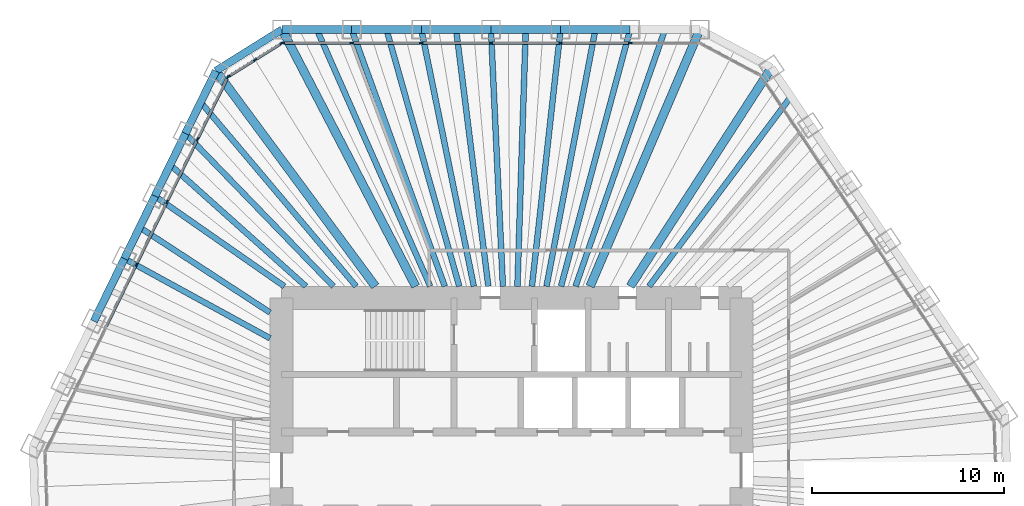
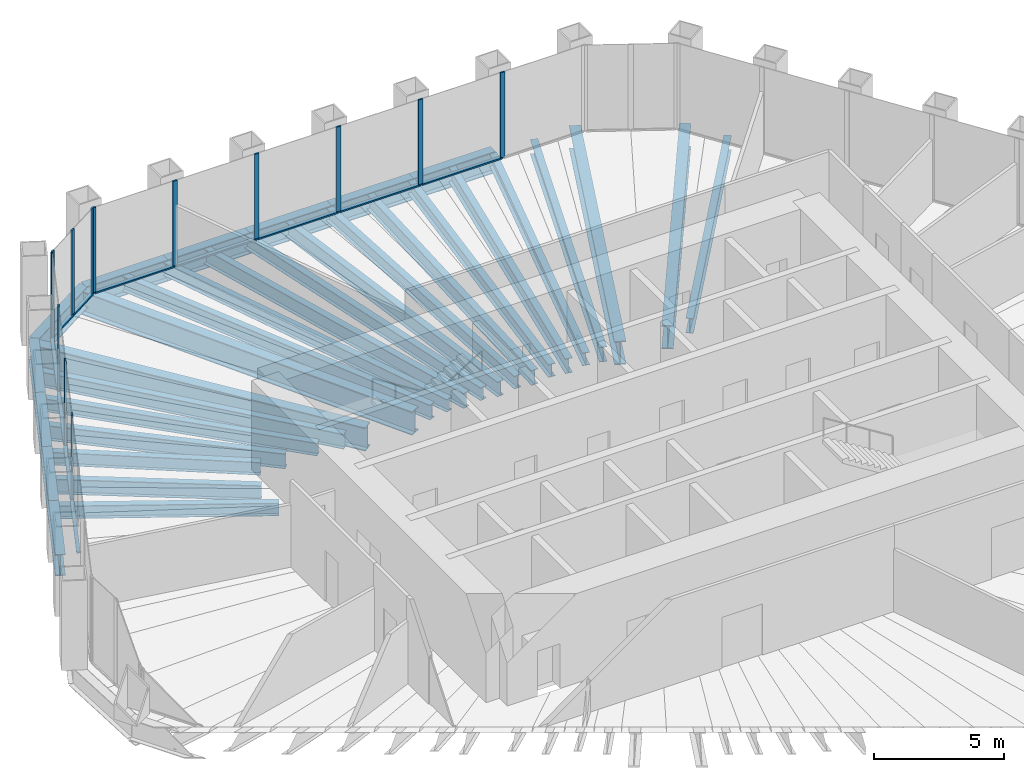
# One storey, part 6 of 13: 32 beams, 24 members, 3 elements without a shape of their own.
"""IFC4 building model written with IfcOpenShell, lengths in metres."""

from ifc_helpers import new_model, si_unit, direction, frame, origin, origin_2d, place, context, subcontext, project, spatial, rectangle, i_section, extrude, material, material_profile, profile_set, type_object, element, aggregate, save


model = new_model("IFC4")

# Units and contexts
model_context = context("Model", 3, precision=1e-05, world=origin(), true_north=direction((0.0, 1.0)))
body_context = subcontext(model_context, "Body", "Model", "MODEL_VIEW")
ifc_project = project(units=[si_unit("LENGTHUNIT", "METRE"), si_unit("AREAUNIT", "SQUARE_METRE"), si_unit("VOLUMEUNIT", "CUBIC_METRE"), si_unit("PLANEANGLEUNIT", "RADIAN"), si_unit("MASSUNIT", "GRAM", prefix="KILO")], contexts=[model_context])

# Site, building, storey
site_placement = place(None, origin())
site = spatial("IfcSite", under=ifc_project, at=site_placement, CompositionType="ELEMENT")
building_placement = place(site_placement, origin())
building = spatial("IfcBuilding", under=site, at=building_placement, Name="Qingtian Harvest Tower", CompositionType="ELEMENT")
storey_placement = place(building_placement, frame((0.0, 0.0, 247.60009765625)))
storey = spatial("IfcBuildingStorey", under=building, at=storey_placement, Name="L54", CompositionType="ELEMENT", Elevation=247.60009765625)

# Beams
ifc_material_1 = material(Name="Steel SM570MC", Category="steel")
ifc_material_profile_1 = material_profile(ifc_material_1, i_section(OverallWidth=0.449951171875, OverallDepth=1.10009765625, WebThickness=0.02197265625, FlangeThickness=0.044921875, at=origin_2d()), Name="H1100x450x22x45")
ifc_profile_set_1 = profile_set([ifc_material_profile_1], Name="Steel SM570MC")
beam_type_1 = type_object("IfcBeamType", Name="Corner floor beam FB8 H1100x450x22x45", PredefinedType="BEAM", material=ifc_profile_set_1)
beam_1_placement = place(storey_placement, frame((-11.971923828125, 23.0, -0.72021484375), z_axis=(0.461712460868, -0.887029651973, 0.0), x_axis=(0.887029651973, 0.461712460868, 0.0)))
element("IfcBeam", 1, at=beam_1_placement, inside=storey, type_object=beam_type_1, Name="Floor beam FB8 N0", PredefinedType="BEAM", context=body_context, shape_type="SweptSolid", body=[
    extrude(i_section(OverallWidth=0.449951171875, OverallDepth=1.10009765625, WebThickness=0.02197265625, FlangeThickness=0.044921875, at=origin_2d()), origin(), (0.0, 0.0, 1.0), 15.1064453125),
])
beam_2_placement = place(storey_placement, frame((9.829345703125, 23.0, -0.72021484375), z_axis=(-0.392976835482, -0.91954837109, 0.0), x_axis=(0.91954837109, -0.392976835482, 0.0)))
element("IfcBeam", 2, at=beam_2_placement, inside=storey, type_object=beam_type_1, Name="Floor beam FB8 N6", PredefinedType="BEAM", context=body_context, shape_type="SweptSolid", body=[
    extrude(i_section(OverallWidth=0.449951171875, OverallDepth=1.10009765625, WebThickness=0.02197265625, FlangeThickness=0.044921875, at=origin_2d()), origin(), (0.0, 0.0, 1.0), 14.572265625),
])
beam_3_placement = place(storey_placement, frame((13.5712890625, 21.01025390625, -0.72021484375), z_axis=(-0.542593072822, -0.839995688873, 0.0), x_axis=(0.839995688873, -0.542593072822, 0.0)))
element("IfcBeam", 3, at=beam_3_placement, inside=storey, type_object=beam_type_1, Name="Floor beam FB8 NE0", PredefinedType="BEAM", context=body_context, shape_type="SweptSolid", body=[
    extrude(i_section(OverallWidth=0.449951171875, OverallDepth=1.10009765625, WebThickness=0.02197265625, FlangeThickness=0.044921875, at=origin_2d()), origin(), (0.0, 0.0, 1.0), 13.58349609375),
])
beam_4_placement = place(storey_placement, frame((-15.424072265625, 20.8427734375, -0.72021484375), z_axis=(0.594854284538, -0.803833552526, 0.0), x_axis=(0.803833552526, 0.594854284538, 0.0)))
element("IfcBeam", 4, at=beam_4_placement, inside=storey, type_object=beam_type_1, Name="Floor beam FB8 NW6", PredefinedType="BEAM", context=body_context, shape_type="SweptSolid", body=[
    extrude(i_section(OverallWidth=0.449951171875, OverallDepth=1.10009765625, WebThickness=0.02197265625, FlangeThickness=0.044921875, at=origin_2d()), origin(), (0.0, 0.0, 1.0), 13.986328125),
])
ifc_material_2 = material(Name="Steel SN490B", Category="steel")
ifc_material_profile_2 = material_profile(ifc_material_2, i_section(OverallWidth=0.300048828125, OverallDepth=0.60009765625, WebThickness=0.011962890625, FlangeThickness=0.02001953125, at=origin_2d()), Name="H600x300x12x20")
ifc_profile_set_2 = profile_set([ifc_material_profile_2], Name="Steel SN490B")
beam_type_2 = type_object("IfcBeamType", Name="Floor beam FB3 H600x300x12x20", PredefinedType="BEAM", material=ifc_profile_set_2)
beam_5_placement = place(storey_placement, frame((-8.33837890625, 23.0, -0.47021484375), z_axis=(0.340826952705, -0.94012604916, 0.0), x_axis=(0.94012604916, 0.340826952705, 0.0)))
element("IfcBeam", 5, at=beam_5_placement, inside=storey, type_object=beam_type_2, Name="Floor beam FB3 N1", PredefinedType="BEAM", context=body_context, shape_type="SweptSolid", body=[
    extrude(i_section(OverallWidth=0.300048828125, OverallDepth=0.60009765625, WebThickness=0.011962890625, FlangeThickness=0.02001953125, at=origin_2d()), origin(), (0.0, 0.0, 1.0), 14.25341796875),
])
beam_6_placement = place(storey_placement, frame((-4.704833984375, 23.0, -0.47021484375), z_axis=(0.200401687601, -0.979713817197, 0.0), x_axis=(0.979713817197, 0.200401687601, 0.0)))
element("IfcBeam", 6, at=beam_6_placement, inside=storey, type_object=beam_type_2, Name="Floor beam FB3 N2", PredefinedType="BEAM", context=body_context, shape_type="SweptSolid", body=[
    extrude(i_section(OverallWidth=0.300048828125, OverallDepth=0.60009765625, WebThickness=0.011962890625, FlangeThickness=0.02001953125, at=origin_2d()), origin(), (0.0, 0.0, 1.0), 13.67724609375),
])
beam_7_placement = place(storey_placement, frame((-1.0712890625, 23.0, -0.47021484375), z_axis=(0.04651883736, -0.998917412888, 0.0), x_axis=(0.998917412888, 0.04651883736, 0.0)))
element("IfcBeam", 7, at=beam_7_placement, inside=storey, type_object=beam_type_2, Name="Floor beam FB3 N3", PredefinedType="BEAM", context=body_context, shape_type="SweptSolid", body=[
    extrude(i_section(OverallWidth=0.300048828125, OverallDepth=0.60009765625, WebThickness=0.011962890625, FlangeThickness=0.02001953125, at=origin_2d()), origin(), (0.0, 0.0, 1.0), 13.414306640625),
])
beam_8_placement = place(storey_placement, frame((2.562255859375, 23.0, -0.47021484375), z_axis=(-0.110727645803, -0.993850787822, 0.0), x_axis=(0.993850787822, -0.110727645803, 0.0)))
element("IfcBeam", 8, at=beam_8_placement, inside=storey, type_object=beam_type_2, Name="Floor beam FB3 N4", PredefinedType="BEAM", context=body_context, shape_type="SweptSolid", body=[
    extrude(i_section(OverallWidth=0.300048828125, OverallDepth=0.60009765625, WebThickness=0.011962890625, FlangeThickness=0.02001953125, at=origin_2d()), origin(), (0.0, 0.0, 1.0), 13.48291015625),
])
beam_9_placement = place(storey_placement, frame((6.19580078125, 23.0, -0.47021484375), z_axis=(-0.260121100906, -0.965576000563, 0.0), x_axis=(0.965576000563, -0.260121100906, 0.0)))
element("IfcBeam", 9, at=beam_9_placement, inside=storey, type_object=beam_type_2, Name="Floor beam FB3 N5", PredefinedType="BEAM", context=body_context, shape_type="SweptSolid", body=[
    extrude(i_section(OverallWidth=0.300048828125, OverallDepth=0.60009765625, WebThickness=0.011962890625, FlangeThickness=0.02001953125, at=origin_2d()), origin(), (0.0, 0.0, 1.0), 13.877685546875),
])
beam_10_placement = place(storey_placement, frame((-20.20263671875, 11.04541015625, -0.47021484375), z_axis=(0.87742673539, -0.479710666988, 0.0), x_axis=(0.479710666988, 0.87742673539, 0.0)))
element("IfcBeam", 10, at=beam_10_placement, inside=storey, type_object=beam_type_2, Name="Floor beam FB3 NW3", PredefinedType="BEAM", context=body_context, shape_type="SweptSolid", body=[
    extrude(i_section(OverallWidth=0.300048828125, OverallDepth=0.60009765625, WebThickness=0.011962890625, FlangeThickness=0.02001953125, at=origin_2d()), origin(), (0.0, 0.0, 1.0), 8.66455078125),
])
beam_11_placement = place(storey_placement, frame((-18.60986328125, 14.311279296875, -0.47021484375), z_axis=(0.820407854234, -0.571778762032, 0.0), x_axis=(0.571778762032, 0.820407854234, 0.0)))
element("IfcBeam", 11, at=beam_11_placement, inside=storey, type_object=beam_type_2, Name="Floor beam FB3 NW4", PredefinedType="BEAM", context=body_context, shape_type="SweptSolid", body=[
    extrude(i_section(OverallWidth=0.300048828125, OverallDepth=0.60009765625, WebThickness=0.011962890625, FlangeThickness=0.02001953125, at=origin_2d()), origin(), (0.0, 0.0, 1.0), 8.239501953125),
])
beam_12_placement = place(storey_placement, frame((-17.016845703125, 17.5771484375, -0.47021484375), z_axis=(0.695569024353, -0.718459276759, 0.0), x_axis=(0.718459276759, 0.695569024353, 0.0)))
element("IfcBeam", 12, at=beam_12_placement, inside=storey, type_object=beam_type_2, Name="Floor beam FB3 NW5", PredefinedType="BEAM", context=body_context, shape_type="SweptSolid", body=[
    extrude(i_section(OverallWidth=0.300048828125, OverallDepth=0.60009765625, WebThickness=0.011962890625, FlangeThickness=0.02001953125, at=origin_2d()), origin(), (0.0, 0.0, 1.0), 11.10302734375),
])
ifc_material_3 = material(Name="Steel SN490B", Category="steel")
ifc_material_profile_3 = material_profile(ifc_material_3, i_section(OverallWidth=0.300048828125, OverallDepth=0.699951171875, WebThickness=0.012939453125, FlangeThickness=0.02392578125, at=origin_2d()), Name="H700x300x13x24")
ifc_profile_set_3 = profile_set([ifc_material_profile_3], Name="Steel SN490B")
beam_type_3 = type_object("IfcBeamType", Name="Floor joist J2 H700x300x13x24", PredefinedType="JOIST", material=ifc_profile_set_3)
beam_13_placement = place(storey_placement, frame((-10.1552734375, 23.0, -0.52001953125), z_axis=(0.40391347792, -0.914797191925, 0.0), x_axis=(0.914797191925, 0.40391347792, 0.0)))
element("IfcBeam", 13, at=beam_13_placement, inside=storey, type_object=beam_type_3, Name="Floor joist J2 N0", PredefinedType="JOIST", context=body_context, shape_type="SweptSolid", body=[
    extrude(i_section(OverallWidth=0.300048828125, OverallDepth=0.699951171875, WebThickness=0.012939453125, FlangeThickness=0.02392578125, at=origin_2d()), origin(), (0.0, 0.0, 1.0), 14.64794921875),
])
beam_14_placement = place(storey_placement, frame((-6.521728515625, 23.0, -0.52001953125), z_axis=(0.272796737564, -0.962071691702, 0.0), x_axis=(0.962071691702, 0.272796737564, 0.0)))
element("IfcBeam", 14, at=beam_14_placement, inside=storey, type_object=beam_type_3, Name="Floor joist J2 N1", PredefinedType="JOIST", context=body_context, shape_type="SweptSolid", body=[
    extrude(i_section(OverallWidth=0.300048828125, OverallDepth=0.699951171875, WebThickness=0.012939453125, FlangeThickness=0.02392578125, at=origin_2d()), origin(), (0.0, 0.0, 1.0), 13.92822265625),
])
beam_15_placement = place(storey_placement, frame((-2.88818359375, 23.0, -0.52001953125), z_axis=(0.124590949529, -0.992208191508, 0.0), x_axis=(0.992208191508, 0.124590949529, 0.0)))
element("IfcBeam", 15, at=beam_15_placement, inside=storey, type_object=beam_type_3, Name="Floor joist J2 N2", PredefinedType="JOIST", context=body_context, shape_type="SweptSolid", body=[
    extrude(i_section(OverallWidth=0.300048828125, OverallDepth=0.699951171875, WebThickness=0.012939453125, FlangeThickness=0.02392578125, at=origin_2d()), origin(), (0.0, 0.0, 1.0), 13.505126953125),
])
beam_16_placement = place(storey_placement, frame((0.745361328125, 23.0, -0.52001953125), z_axis=(-0.032395624487, -0.99947512401, 0.0), x_axis=(0.99947512401, -0.032395624487, 0.0)))
element("IfcBeam", 16, at=beam_16_placement, inside=storey, type_object=beam_type_3, Name="Floor joist J2 N3", PredefinedType="JOIST", context=body_context, shape_type="SweptSolid", body=[
    extrude(i_section(OverallWidth=0.300048828125, OverallDepth=0.699951171875, WebThickness=0.012939453125, FlangeThickness=0.02392578125, at=origin_2d()), origin(), (0.0, 0.0, 1.0), 13.406982421875),
])
beam_17_placement = place(storey_placement, frame((4.37890625, 23.0, -0.52001953125), z_axis=(-0.187034797062, -0.982353289142, 0.0), x_axis=(0.982353289142, -0.187034797062, 0.0)))
element("IfcBeam", 17, at=beam_17_placement, inside=storey, type_object=beam_type_3, Name="Floor joist J2 N4", PredefinedType="JOIST", context=body_context, shape_type="SweptSolid", body=[
    extrude(i_section(OverallWidth=0.300048828125, OverallDepth=0.699951171875, WebThickness=0.012939453125, FlangeThickness=0.02392578125, at=origin_2d()), origin(), (0.0, 0.0, 1.0), 13.640625),
])
beam_18_placement = place(storey_placement, frame((8.012451171875, 23.0, -0.52001953125), z_axis=(-0.328969033283, -0.944340709247, 0.0), x_axis=(0.944340709247, -0.328969033283, 0.0)))
element("IfcBeam", 18, at=beam_18_placement, inside=storey, type_object=beam_type_3, Name="Floor joist J2 N5", PredefinedType="JOIST", context=body_context, shape_type="SweptSolid", body=[
    extrude(i_section(OverallWidth=0.300048828125, OverallDepth=0.699951171875, WebThickness=0.012939453125, FlangeThickness=0.02392578125, at=origin_2d()), origin(), (0.0, 0.0, 1.0), 14.189697265625),
])
beam_19_placement = place(storey_placement, frame((14.58740234375, 19.504150390625, -0.52001953125), z_axis=(-0.598935081494, -0.800797582511, 0.0), x_axis=(0.800797582511, -0.598935081494, 0.0)))
element("IfcBeam", 19, at=beam_19_placement, inside=storey, type_object=beam_type_3, Name="Floor joist J2 NE0", PredefinedType="JOIST", context=body_context, shape_type="SweptSolid", body=[
    extrude(i_section(OverallWidth=0.300048828125, OverallDepth=0.699951171875, WebThickness=0.012939453125, FlangeThickness=0.02392578125, at=origin_2d()), origin(), (0.0, 0.0, 1.0), 12.36767578125),
])
beam_20_placement = place(storey_placement, frame((-19.40625, 12.678466796875, -0.52001953125), z_axis=(0.837161066611, -0.546956441182, 0.0), x_axis=(0.546956441182, 0.837161066611, 0.0)))
element("IfcBeam", 20, at=beam_20_placement, inside=storey, type_object=beam_type_3, Name="Floor joist J2 NW3", PredefinedType="JOIST", context=body_context, shape_type="SweptSolid", body=[
    extrude(i_section(OverallWidth=0.300048828125, OverallDepth=0.699951171875, WebThickness=0.012939453125, FlangeThickness=0.02392578125, at=origin_2d()), origin(), (0.0, 0.0, 1.0), 8.130126953125),
])
beam_21_placement = place(storey_placement, frame((-17.813232421875, 15.944091796875, -0.52001953125), z_axis=(0.745126517589, -0.66692313859, 0.0), x_axis=(0.66692313859, 0.745126517589, 0.0)))
element("IfcBeam", 21, at=beam_21_placement, inside=storey, type_object=beam_type_3, Name="Floor joist J2 NW4", PredefinedType="JOIST", context=body_context, shape_type="SweptSolid", body=[
    extrude(i_section(OverallWidth=0.300048828125, OverallDepth=0.699951171875, WebThickness=0.012939453125, FlangeThickness=0.02392578125, at=origin_2d()), origin(), (0.0, 0.0, 1.0), 9.512451171875),
])
beam_22_placement = place(storey_placement, frame((-16.220458984375, 19.2099609375, -0.52001953125), z_axis=(0.645157903911, -0.764049264787, 0.0), x_axis=(0.764049264787, 0.645157903911, 0.0)))
element("IfcBeam", 22, at=beam_22_placement, inside=storey, type_object=beam_type_3, Name="Floor joist J2 NW5", PredefinedType="JOIST", context=body_context, shape_type="SweptSolid", body=[
    extrude(i_section(OverallWidth=0.300048828125, OverallDepth=0.699951171875, WebThickness=0.012939453125, FlangeThickness=0.02392578125, at=origin_2d()), origin(), (0.0, 0.0, 1.0), 12.57763671875),
])

# Curtain wall, members
ifc_material_4 = material(Name="Bronze-anodised aluminium curtain wall", Category="aluminium")
curtain_wall_type = type_object("IfcCurtainWallType", Name="Curtain wall CW4 office", PredefinedType="USERDEFINED", material=ifc_material_4)
curtain_wall_1_placement = place(storey_placement, origin())
curtain_wall_1 = element("IfcCurtainWall", 23, at=curtain_wall_1_placement, inside=storey, type_object=curtain_wall_type, Name="Curtain wall CW4 L54 N0-5", ObjectType="RECESSED CURTAIN WALL", PredefinedType="USERDEFINED")
ifc_material_5 = material(Name="Bronze-anodised aluminium mullion", Category="aluminium")
ifc_material_profile_4 = material_profile(ifc_material_5, rectangle(XDim=0.06494140625, YDim=0.199951171875, at=origin_2d()), Name="AL 65x200")
ifc_profile_set_4 = profile_set([ifc_material_profile_4], Name="Bronze-anodised aluminium mullion")
member_type_1 = type_object("IfcMemberType", Name="Mullion CWM 65x200", PredefinedType="MULLION", material=ifc_profile_set_4)
member_1_placement = place(storey_placement, frame((-11.939453125, 22.300048828125, 0.0), z_axis=(0.0, 0.0, 1.0), x_axis=(0.0, 1.0, 0.0)))
member_1 = element("IfcMember", 24, at=member_1_placement, type_object=member_type_1, Name="CW4 mullion 1", PredefinedType="MULLION", context=body_context, shape_type="SweptSolid", body=[
    extrude(rectangle(XDim=0.06494140625, YDim=0.199951171875, at=origin_2d()), origin(), (0.0, 0.0, 1.0), 4.02978515625),
])
member_2_placement = place(storey_placement, frame((-8.33837890625, 22.300048828125, 0.0), z_axis=(0.0, 0.0, 1.0), x_axis=(0.0, 1.0, 0.0)))
member_2 = element("IfcMember", 25, at=member_2_placement, type_object=member_type_1, Name="CW4 mullion 2", PredefinedType="MULLION", context=body_context, shape_type="SweptSolid", body=[
    extrude(rectangle(XDim=0.06494140625, YDim=0.199951171875, at=origin_2d()), origin(), (0.0, 0.0, 1.0), 4.02978515625),
])
member_3_placement = place(storey_placement, frame((-4.704833984375, 22.300048828125, 0.0), z_axis=(0.0, 0.0, 1.0), x_axis=(0.0, 1.0, 0.0)))
member_3 = element("IfcMember", 26, at=member_3_placement, type_object=member_type_1, Name="CW4 mullion 3", PredefinedType="MULLION", context=body_context, shape_type="SweptSolid", body=[
    extrude(rectangle(XDim=0.06494140625, YDim=0.199951171875, at=origin_2d()), origin(), (0.0, 0.0, 1.0), 4.02978515625),
])
member_4_placement = place(storey_placement, frame((-1.0712890625, 22.300048828125, 0.0), z_axis=(0.0, 0.0, 1.0), x_axis=(0.0, 1.0, 0.0)))
member_4 = element("IfcMember", 27, at=member_4_placement, type_object=member_type_1, Name="CW4 mullion 4", PredefinedType="MULLION", context=body_context, shape_type="SweptSolid", body=[
    extrude(rectangle(XDim=0.06494140625, YDim=0.199951171875, at=origin_2d()), origin(), (0.0, 0.0, 1.0), 4.02978515625),
])
member_5_placement = place(storey_placement, frame((2.562255859375, 22.300048828125, 0.0), z_axis=(0.0, 0.0, 1.0), x_axis=(0.0, 1.0, 0.0)))
member_5 = element("IfcMember", 28, at=member_5_placement, type_object=member_type_1, Name="CW4 mullion 5", PredefinedType="MULLION", context=body_context, shape_type="SweptSolid", body=[
    extrude(rectangle(XDim=0.06494140625, YDim=0.199951171875, at=origin_2d()), origin(), (0.0, 0.0, 1.0), 4.02978515625),
])
member_6_placement = place(storey_placement, frame((6.19580078125, 22.300048828125, 0.0), z_axis=(0.0, 0.0, 1.0), x_axis=(0.0, 1.0, 0.0)))
member_6 = element("IfcMember", 29, at=member_6_placement, type_object=member_type_1, Name="CW4 mullion 6", PredefinedType="MULLION", context=body_context, shape_type="SweptSolid", body=[
    extrude(rectangle(XDim=0.06494140625, YDim=0.199951171875, at=origin_2d()), origin(), (0.0, 0.0, 1.0), 4.02978515625),
])

curtain_wall_2_placement = place(storey_placement, origin())
curtain_wall_2 = element("IfcCurtainWall", 30, at=curtain_wall_2_placement, inside=storey, type_object=curtain_wall_type, Name="Curtain wall CW4 L54 NW0-5", ObjectType="RECESSED CURTAIN WALL", PredefinedType="USERDEFINED")
member_7_placement = place(storey_placement, frame((-19.573486328125, 10.738525390625, 0.0), z_axis=(0.0, 0.0, 1.0), x_axis=(-0.898794046299, 0.438371146789, 0.0)))
member_7 = element("IfcMember", 31, at=member_7_placement, type_object=member_type_1, Name="CW4 mullion 4", PredefinedType="MULLION", context=body_context, shape_type="SweptSolid", body=[
    extrude(rectangle(XDim=0.06494140625, YDim=0.199951171875, at=origin_2d()), origin(), (0.0, 0.0, 1.0), 4.02978515625),
])
member_8_placement = place(storey_placement, frame((-17.980712890625, 14.00439453125, 0.0), z_axis=(0.0, 0.0, 1.0), x_axis=(-0.898794046299, 0.438371146789, 0.0)))
member_8 = element("IfcMember", 32, at=member_8_placement, type_object=member_type_1, Name="CW4 mullion 5", PredefinedType="MULLION", context=body_context, shape_type="SweptSolid", body=[
    extrude(rectangle(XDim=0.06494140625, YDim=0.199951171875, at=origin_2d()), origin(), (0.0, 0.0, 1.0), 4.02978515625),
])
member_9_placement = place(storey_placement, frame((-16.3876953125, 17.270263671875, 0.0), z_axis=(0.0, 0.0, 1.0), x_axis=(-0.898794046299, 0.438371146789, 0.0)))
member_9 = element("IfcMember", 33, at=member_9_placement, type_object=member_type_1, Name="CW4 mullion 6", PredefinedType="MULLION", context=body_context, shape_type="SweptSolid", body=[
    extrude(rectangle(XDim=0.06494140625, YDim=0.199951171875, at=origin_2d()), origin(), (0.0, 0.0, 1.0), 4.02978515625),
])
member_10_placement = place(storey_placement, frame((-14.80908203125, 20.5068359375, 0.0), z_axis=(0.0, 0.0, 1.0), x_axis=(-0.898794046299, 0.438371146789, 0.0)))
member_10 = element("IfcMember", 34, at=member_10_placement, type_object=member_type_1, Name="CW4 mullion 7", PredefinedType="MULLION", context=body_context, shape_type="SweptSolid", body=[
    extrude(rectangle(XDim=0.06494140625, YDim=0.199951171875, at=origin_2d()), origin(), (0.0, 0.0, 1.0), 4.02978515625),
])

curtain_wall_3_placement = place(storey_placement, origin())
curtain_wall_3 = element("IfcCurtainWall", 35, at=curtain_wall_3_placement, inside=storey, type_object=curtain_wall_type, Name="Curtain wall CW4 L54 NWC", ObjectType="RECESSED CURTAIN WALL", PredefinedType="USERDEFINED")
member_11_placement = place(storey_placement, frame((-14.767333984375, 20.55322265625, 0.0), z_axis=(0.0, 0.0, 1.0), x_axis=(-0.529919264233, 0.848048096156, 0.0)))
member_11 = element("IfcMember", 36, at=member_11_placement, type_object=member_type_1, Name="CW4 mullion 1", PredefinedType="MULLION", context=body_context, shape_type="SweptSolid", body=[
    extrude(rectangle(XDim=0.06494140625, YDim=0.199951171875, at=origin_2d()), origin(), (0.0, 0.0, 1.0), 4.02978515625),
])
member_12_placement = place(storey_placement, frame((-13.383544921875, 21.41796875, 0.0), z_axis=(0.0, 0.0, 1.0), x_axis=(-0.529919264233, 0.848048096156, 0.0)))
member_12 = element("IfcMember", 37, at=member_12_placement, type_object=member_type_1, Name="CW4 mullion 2", PredefinedType="MULLION", context=body_context, shape_type="SweptSolid", body=[
    extrude(rectangle(XDim=0.06494140625, YDim=0.199951171875, at=origin_2d()), origin(), (0.0, 0.0, 1.0), 4.02978515625),
])
member_13_placement = place(storey_placement, frame((-11.99951171875, 22.28271484375, 0.0), z_axis=(0.0, 0.0, 1.0), x_axis=(-0.529919264233, 0.848048096156, 0.0)))
member_13 = element("IfcMember", 38, at=member_13_placement, type_object=member_type_1, Name="CW4 mullion 3", PredefinedType="MULLION", context=body_context, shape_type="SweptSolid", body=[
    extrude(rectangle(XDim=0.06494140625, YDim=0.199951171875, at=origin_2d()), origin(), (0.0, 0.0, 1.0), 4.02978515625),
])

# Beams
ifc_material_6 = material(Name="Steel SN490B", Category="steel")
ifc_material_profile_5 = material_profile(ifc_material_6, i_section(OverallWidth=0.39990234375, OverallDepth=1.0, WebThickness=0.01904296875, FlangeThickness=0.035888671875, at=origin_2d()), Name="H1000x400x19x36")
ifc_profile_set_5 = profile_set([ifc_material_profile_5], Name="Steel SN490B")
beam_type_4 = type_object("IfcBeamType", Name="Spandrel beam SB3 H1000x400x19x36", PredefinedType="SPANDREL", material=ifc_profile_set_5)
for number, where, z_axis, x_axis, name in (
    (39, (-11.971923828125, 23.0, -0.5), (1.0, 0.0, 0.0), (0.0, 1.0, 0.0), "Spandrel SB3 N0"),
    (40, (-8.33837890625, 23.0, -0.5), (1.0, 0.0, 0.0), (0.0, 1.0, 0.0), "Spandrel SB3 N1"),
    (41, (-4.704833984375, 23.0, -0.5), (1.0, 0.0, 0.0), (0.0, 1.0, 0.0), "Spandrel SB3 N2"),
    (42, (-1.0712890625, 23.0, -0.5), (1.0, 0.0, 0.0), (0.0, 1.0, 0.0), "Spandrel SB3 N3"),
    (43, (2.562255859375, 23.0, -0.5), (1.0, 0.0, 0.0), (0.0, 1.0, 0.0), "Spandrel SB3 N4"),
    (44, (-21.79541015625, 7.779541015625, -0.5), (0.438349498419, 0.898804604592, 0.0), (-0.898804604592, 0.438349498419, 0.0), "Spandrel SB3 NW2"),
    (45, (-20.20263671875, 11.04541015625, -0.5), (0.438349498419, 0.898804604592, 0.0), (-0.898804604592, 0.438349498419, 0.0), "Spandrel SB3 NW3"),
):
    element("IfcBeam", number, at=place(storey_placement, frame(where, z_axis=z_axis, x_axis=x_axis)), inside=storey, type_object=beam_type_4, Name=name, PredefinedType="SPANDREL", context=body_context, shape_type="SweptSolid", body=[
        extrude(i_section(OverallWidth=0.39990234375, OverallDepth=1.0, WebThickness=0.01904296875, FlangeThickness=0.035888671875, at=origin_2d()), origin(), (0.0, 0.0, 1.0), 3.633544921875),
    ])
beam_23_placement = place(storey_placement, frame((-18.60986328125, 14.311279296875, -0.5), z_axis=(0.438403775684, 0.898778131391, 0.0), x_axis=(-0.898778131391, 0.438403775684, 0.0)))
element("IfcBeam", 46, at=beam_23_placement, inside=storey, type_object=beam_type_4, Name="Spandrel SB3 NW4", PredefinedType="SPANDREL", context=body_context, shape_type="SweptSolid", body=[
    extrude(i_section(OverallWidth=0.39990234375, OverallDepth=1.0, WebThickness=0.01904296875, FlangeThickness=0.035888671875, at=origin_2d()), origin(), (0.0, 0.0, 1.0), 3.6337890625),
])
beam_24_placement = place(storey_placement, frame((-17.016845703125, 17.5771484375, -0.5), z_axis=(0.43837597217, 0.898791692788, 0.0), x_axis=(-0.898791692788, 0.43837597217, 0.0)))
element("IfcBeam", 47, at=beam_24_placement, inside=storey, type_object=beam_type_4, Name="Spandrel SB3 NW5", PredefinedType="SPANDREL", context=body_context, shape_type="SweptSolid", body=[
    extrude(i_section(OverallWidth=0.39990234375, OverallDepth=1.0, WebThickness=0.01904296875, FlangeThickness=0.035888671875, at=origin_2d()), origin(), (0.0, 0.0, 1.0), 3.63330078125),
])
beam_25_placement = place(storey_placement, frame((-15.424072265625, 20.8427734375, -0.5), z_axis=(0.848038733752, 0.529934246919, 0.0), x_axis=(-0.529934246919, 0.848038733752, 0.0)))
element("IfcBeam", 48, at=beam_25_placement, inside=storey, type_object=beam_type_4, Name="Spandrel SB3 NWC", PredefinedType="SPANDREL", context=body_context, shape_type="SweptSolid", body=[
    extrude(i_section(OverallWidth=0.39990234375, OverallDepth=1.0, WebThickness=0.01904296875, FlangeThickness=0.035888671875, at=origin_2d()), origin(), (0.0, 0.0, 1.0), 4.07080078125),
])

# Member
ifc_material_7 = material(Name="Bronze-anodised aluminium transom", Category="aluminium")
ifc_material_profile_6 = material_profile(ifc_material_7, rectangle(XDim=0.14990234375, YDim=0.06494140625, at=origin_2d()), Name="AL 65x150")
ifc_profile_set_6 = profile_set([ifc_material_profile_6], Name="Bronze-anodised aluminium transom")
member_type_2 = type_object("IfcMemberType", Name="Transom CWT 65x150", PredefinedType="USERDEFINED", material=ifc_profile_set_6)
member_14_placement = place(storey_placement, frame((-11.906982421875, 22.300048828125, 0.032470703125), z_axis=(1.0, 0.0, 0.0), x_axis=(0.0, 1.0, 0.0)))
member_14 = element("IfcMember", 49, at=member_14_placement, type_object=member_type_2, Name="CW4 transom 1.1", ObjectType="TRANSOM", PredefinedType="USERDEFINED", context=body_context, shape_type="SweptSolid", body=[
    extrude(rectangle(XDim=0.14990234375, YDim=0.06494140625, at=origin_2d()), origin(), (0.0, 0.0, 1.0), 3.5361328125),
])

member_15_placement = place(storey_placement, frame((-8.305908203125, 22.300048828125, 0.032470703125), z_axis=(1.0, 0.0, 0.0), x_axis=(0.0, 1.0, 0.0)))
member_15 = element("IfcMember", 50, at=member_15_placement, type_object=member_type_2, Name="CW4 transom 2.1", ObjectType="TRANSOM", PredefinedType="USERDEFINED", context=body_context, shape_type="SweptSolid", body=[
    extrude(rectangle(XDim=0.14990234375, YDim=0.06494140625, at=origin_2d()), origin(), (0.0, 0.0, 1.0), 3.568603515625),
])

member_16_placement = place(storey_placement, frame((-4.67236328125, 22.300048828125, 0.032470703125), z_axis=(1.0, 0.0, 0.0), x_axis=(0.0, 1.0, 0.0)))
member_16 = element("IfcMember", 51, at=member_16_placement, type_object=member_type_2, Name="CW4 transom 3.1", ObjectType="TRANSOM", PredefinedType="USERDEFINED", context=body_context, shape_type="SweptSolid", body=[
    extrude(rectangle(XDim=0.14990234375, YDim=0.06494140625, at=origin_2d()), origin(), (0.0, 0.0, 1.0), 3.568603515625),
])

member_17_placement = place(storey_placement, frame((-1.038818359375, 22.300048828125, 0.032470703125), z_axis=(1.0, 0.0, 0.0), x_axis=(0.0, 1.0, 0.0)))
member_17 = element("IfcMember", 52, at=member_17_placement, type_object=member_type_2, Name="CW4 transom 4.1", ObjectType="TRANSOM", PredefinedType="USERDEFINED", context=body_context, shape_type="SweptSolid", body=[
    extrude(rectangle(XDim=0.14990234375, YDim=0.06494140625, at=origin_2d()), origin(), (0.0, 0.0, 1.0), 3.568603515625),
])

member_18_placement = place(storey_placement, frame((2.5947265625, 22.300048828125, 0.032470703125), z_axis=(1.0, 0.0, 0.0), x_axis=(0.0, 1.0, 0.0)))
member_18 = element("IfcMember", 53, at=member_18_placement, type_object=member_type_2, Name="CW4 transom 5.1", ObjectType="TRANSOM", PredefinedType="USERDEFINED", context=body_context, shape_type="SweptSolid", body=[
    extrude(rectangle(XDim=0.14990234375, YDim=0.06494140625, at=origin_2d()), origin(), (0.0, 0.0, 1.0), 3.568603515625),
])

aggregate(curtain_wall_1, [member_1, member_2, member_3, member_4, member_5, member_6, member_14, member_15, member_16, member_17, member_18])

member_19_placement = place(storey_placement, frame((-21.152099609375, 7.501953125, 0.032470703125), z_axis=(0.438380500422, 0.898789484167, 0.0), x_axis=(-0.898789484167, 0.438380500422, 0.0)))
member_19 = element("IfcMember", 54, at=member_19_placement, type_object=member_type_2, Name="CW4 transom 3.1", ObjectType="TRANSOM", PredefinedType="USERDEFINED", context=body_context, shape_type="SweptSolid", body=[
    extrude(rectangle(XDim=0.14990234375, YDim=0.06494140625, at=origin_2d()), origin(), (0.0, 0.0, 1.0), 3.568603515625),
])

member_20_placement = place(storey_placement, frame((-19.559326171875, 10.767822265625, 0.032470703125), z_axis=(0.438407456795, 0.898776335818, 0.0), x_axis=(-0.898776335818, 0.438407456795, 0.0)))
member_20 = element("IfcMember", 55, at=member_20_placement, type_object=member_type_2, Name="CW4 transom 4.1", ObjectType="TRANSOM", PredefinedType="USERDEFINED", context=body_context, shape_type="SweptSolid", body=[
    extrude(rectangle(XDim=0.14990234375, YDim=0.06494140625, at=origin_2d()), origin(), (0.0, 0.0, 1.0), 3.568603515625),
])

member_21_placement = place(storey_placement, frame((-17.96630859375, 14.03369140625, 0.032470703125), z_axis=(0.438352188226, 0.898803292761, 0.0), x_axis=(-0.898803292761, 0.438352188226, 0.0)))
member_21 = element("IfcMember", 56, at=member_21_placement, type_object=member_type_2, Name="CW4 transom 5.1", ObjectType="TRANSOM", PredefinedType="USERDEFINED", context=body_context, shape_type="SweptSolid", body=[
    extrude(rectangle(XDim=0.14990234375, YDim=0.06494140625, at=origin_2d()), origin(), (0.0, 0.0, 1.0), 3.568359375),
])

member_22_placement = place(storey_placement, frame((-16.37353515625, 17.29931640625, 0.032470703125), z_axis=(0.438354255898, 0.898802284341, 0.0), x_axis=(-0.898802284341, 0.438354255898, 0.0)))
member_22 = element("IfcMember", 57, at=member_22_placement, type_object=member_type_2, Name="CW4 transom 6.1", ObjectType="TRANSOM", PredefinedType="USERDEFINED", context=body_context, shape_type="SweptSolid", body=[
    extrude(rectangle(XDim=0.14990234375, YDim=0.06494140625, at=origin_2d()), origin(), (0.0, 0.0, 1.0), 3.5361328125),
])

aggregate(curtain_wall_2, [member_7, member_8, member_9, member_10, member_19, member_20, member_21, member_22])

member_23_placement = place(storey_placement, frame((-14.73974609375, 20.570556640625, 0.032470703125), z_axis=(0.848015812303, 0.529970925697, 0.0), x_axis=(-0.529970925697, 0.848015812303, 0.0)))
member_23 = element("IfcMember", 58, at=member_23_placement, type_object=member_type_2, Name="CW4 transom 1.1", ObjectType="TRANSOM", PredefinedType="USERDEFINED", context=body_context, shape_type="SweptSolid", body=[
    extrude(rectangle(XDim=0.14990234375, YDim=0.06494140625, at=origin_2d()), origin(), (0.0, 0.0, 1.0), 1.566650390625),
])

member_24_placement = place(storey_placement, frame((-13.35595703125, 21.435302734375, 0.032470703125), z_axis=(0.848059570903, 0.529900900357, 0.0), x_axis=(-0.529900900357, 0.848059570903, 0.0)))
member_24 = element("IfcMember", 59, at=member_24_placement, type_object=member_type_2, Name="CW4 transom 2.1", ObjectType="TRANSOM", PredefinedType="USERDEFINED", context=body_context, shape_type="SweptSolid", body=[
    extrude(rectangle(XDim=0.14990234375, YDim=0.06494140625, at=origin_2d()), origin(), (0.0, 0.0, 1.0), 1.56689453125),
])

aggregate(curtain_wall_3, [member_11, member_12, member_13, member_23, member_24])

save(model, "model.ifc")
